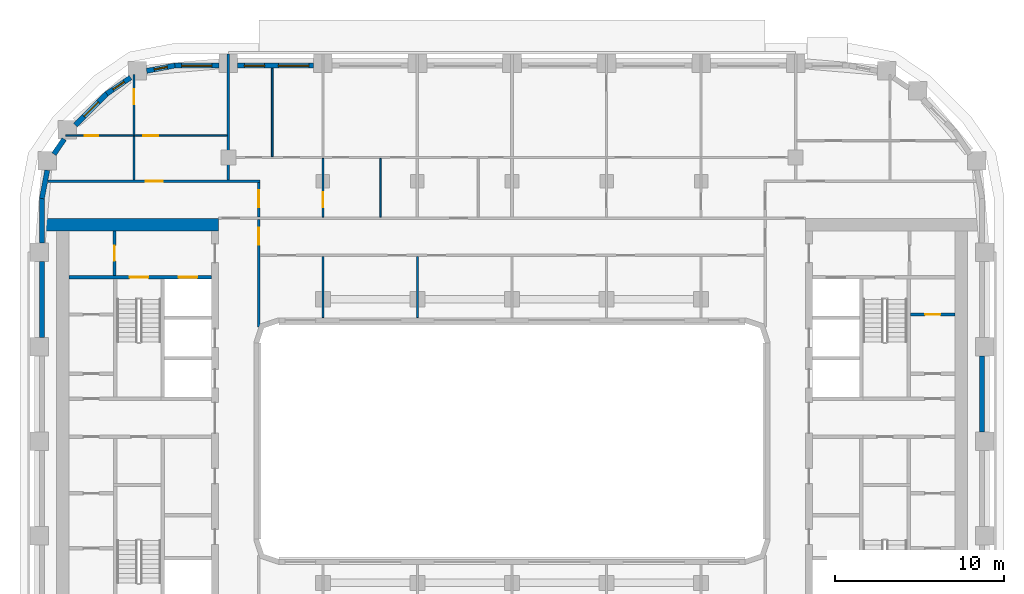
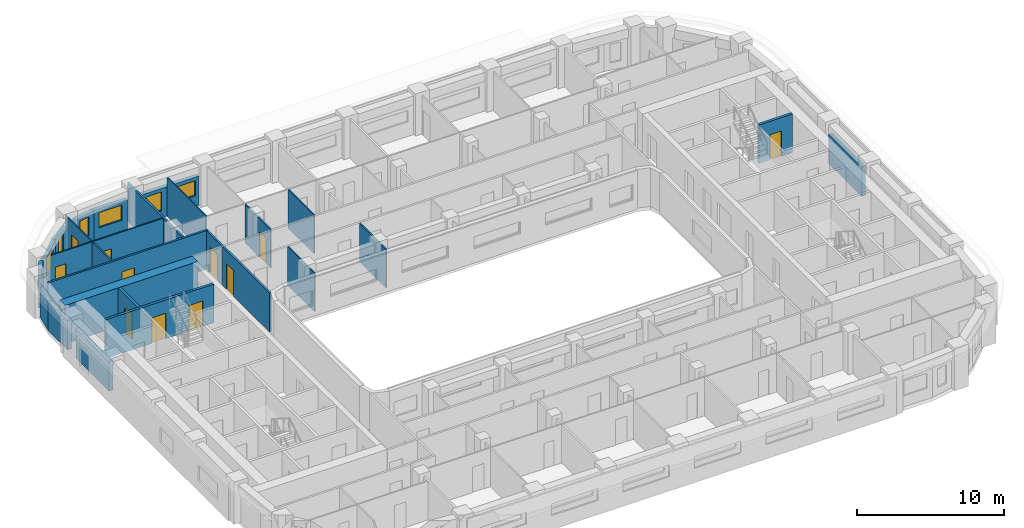
# One storey, part 7 of 22: 26 walls, 11 doors, 6 windows, 17 openings.
"""IFC4 building model written with IfcOpenShell, lengths in metres."""

import ifcopenshell
import ifcopenshell.guid

model = None  # the IFC model being written
_history = None  # IfcOwnerHistory: only IFC2X3 demands one
_inside = {}  # id of a spatial element -> (the spatial element, [elements in it])
_under = {}  # id of a project, library or spatial element -> (it, [spatial elements below it])
_declared = {}  # id of a project -> (the project, [libraries it declares])
_typed = {}  # id of a type object -> (the type object, [elements of that type])
_made_of = {}  # id of a material, layer set ... -> (it, [elements and type objects made of it])


def new_model(schema):
    """Start an empty IFC model of exactly this schema.

    Asked for "IFC4X3", IfcOpenShell would pick the latest addendum, in which some entities
    have other attributes; the version numbers below select the first issue.
    IFC2X3 requires an IfcOwnerHistory on every rooted entity: one is made here for all.
    """
    global model, _history
    if schema == "IFC4X3":
        model = ifcopenshell.file(schema_version=(4, 3, 0, 0))
    else:
        model = ifcopenshell.file(schema=schema)
    _inside.clear()
    _under.clear()
    _declared.clear()
    _typed.clear()
    _made_of.clear()
    _history = None
    if model.schema == "IFC2X3":
        org = make("IfcOrganization", Name="unknown")
        user = make(
            "IfcPersonAndOrganization",
            ThePerson=make("IfcPerson", FamilyName="unknown"),
            TheOrganization=org,
        )
        app = make(
            "IfcApplication",
            ApplicationDeveloper=org,
            Version="unknown",
            ApplicationFullName="unknown",
            ApplicationIdentifier="unknown",
        )
        _history = make(
            "IfcOwnerHistory",
            OwningUser=user,
            OwningApplication=app,
            ChangeAction="ADDED",
            CreationDate=0,
        )
    return model


def make(cls, **values):
    """One entity of the class cls with the attributes given. An attribute that is None is left unset."""
    return model.create_entity(
        cls, **{name: value for name, value in values.items() if value is not None}
    )


def rooted(cls, **values):
    """An entity with a GlobalId (a new one), such as an element, a storey or a relation."""
    return make(cls, GlobalId=ifcopenshell.guid.new(), OwnerHistory=_history, **values)


def si_unit(unit_type, name, prefix=None):
    """IfcSIUnit, for example si_unit("LENGTHUNIT", "METRE", prefix="MILLI")."""
    return make("IfcSIUnit", UnitType=unit_type, Prefix=prefix, Name=name)


def assignment(units):
    """IfcUnitAssignment: the units of a project."""
    return None if units is None else make("IfcUnitAssignment", Units=units)


def point(xyz):
    """IfcCartesianPoint."""
    return None if xyz is None else make("IfcCartesianPoint", Coordinates=xyz)


def direction(xyz):
    """IfcDirection."""
    return None if xyz is None else make("IfcDirection", DirectionRatios=xyz)


def frame(location, z_axis=None, x_axis=None):
    """IfcAxis2Placement3D, a coordinate frame: its origin and axes. An axis left out is left unset."""
    return make(
        "IfcAxis2Placement3D",
        Location=point(location),
        Axis=direction(z_axis),
        RefDirection=direction(x_axis),
    )


def frame_2d(location, x_axis=None):
    """IfcAxis2Placement2D, a coordinate frame in the plane: its origin and x axis."""
    return make(
        "IfcAxis2Placement2D", Location=point(location), RefDirection=direction(x_axis)
    )


def origin():
    """The frame at (0, 0, 0) with its axes left unset."""
    return frame((0.0, 0.0, 0.0))


def place(relative_to, where):
    """IfcLocalPlacement: puts the frame where relative to a parent placement (None: the world)."""
    return make(
        "IfcLocalPlacement", PlacementRelTo=relative_to, RelativePlacement=where
    )


def context(
    kind, dimensions, precision=None, world=None, true_north=None, identifier=None
):
    """IfcGeometricRepresentationContext, for example the 3D "Model" context."""
    return make(
        "IfcGeometricRepresentationContext",
        ContextIdentifier=identifier,
        ContextType=kind,
        CoordinateSpaceDimension=dimensions,
        Precision=precision,
        WorldCoordinateSystem=world,
        TrueNorth=true_north,
    )


def subcontext(parent, identifier, kind, view, scale=None):
    """IfcGeometricRepresentationSubContext, for example "Body" below "Model"."""
    return make(
        "IfcGeometricRepresentationSubContext",
        ContextIdentifier=identifier,
        ContextType=kind,
        ParentContext=parent,
        TargetScale=scale,
        TargetView=view,
    )


def project(units=None, contexts=None):
    """IfcProject with its units and contexts."""
    return rooted(
        "IfcProject",
        Name="project",
        RepresentationContexts=contexts,
        UnitsInContext=assignment(units),
    )


def spatial(cls, under=None, at=None, **own):
    """A site, building, storey or space (cls), placed at a placement, below another one or the project."""
    s = rooted(cls, ObjectPlacement=at, **own)
    if under is not None:
        _under.setdefault(under.id(), (under, []))[1].append(s)
    return s


def profile(cls, at=None, kind="AREA", **sizes):
    """A parametric profile (cls). Its sizes go by their IFC names, for example OverallWidth=200.0."""
    return make(cls, ProfileType=kind, Position=at, **sizes)


def rectangle(**sizes):
    """IfcRectangleProfileDef."""
    return profile("IfcRectangleProfileDef", **sizes)


def extrude(swept, where, along, depth):
    """IfcExtrudedAreaSolid: the profile swept, set in the frame where, extruded along a direction by depth."""
    return make(
        "IfcExtrudedAreaSolid",
        SweptArea=swept,
        Position=where,
        ExtrudedDirection=direction(along),
        Depth=depth,
    )


def shape(context_of_items, identifier, shape_type, items):
    """IfcShapeRepresentation: the items that make up one representation, for example the "Body"."""
    return make(
        "IfcShapeRepresentation",
        ContextOfItems=context_of_items,
        RepresentationIdentifier=identifier,
        RepresentationType=shape_type,
        Items=items,
    )


def material(Name=None, Category=None):
    """IfcMaterial."""
    return make("IfcMaterial", Name=Name, Category=Category)


def layer(
    of_material, thickness, ventilated=None, Name=None, Category=None, Priority=None
):
    """IfcMaterialLayer: one layer of a wall or slab, of a material (None: an air gap)."""
    return make(
        "IfcMaterialLayer",
        Material=of_material,
        LayerThickness=thickness,
        IsVentilated=ventilated,
        Name=Name,
        Category=Category,
        Priority=Priority,
    )


def layer_set(layers, Name=None):
    """IfcMaterialLayerSet."""
    return make("IfcMaterialLayerSet", MaterialLayers=layers, LayerSetName=Name)


def made_of(thing, what):
    """Note that an element or type object is made of a material, layer set ...; save() writes the relation."""
    if what is not None:
        _made_of.setdefault(what.id(), (what, []))[1].append(thing)
    return thing


def type_object(cls, material=None, **own):
    """A type object (cls), such as IfcWallType, which elements share."""
    return made_of(rooted(cls, **own), material)


def element(
    cls,
    number,
    at=None,
    inside=None,
    cuts=None,
    type_object=None,
    material=None,
    context=None,
    identifier="Body",
    shape_type=None,
    held_by="IfcProductDefinitionShape",
    body=None,
    shapes=None,
    **own,
):
    """One element of the class cls, such as IfcWall. Its Tag is "e" and its number.

    at: its placement. inside: the storey or other place that contains it. cuts: it is an
    opening in that element (IfcRelVoidsElement). A single representation is given by context,
    identifier, shape_type and body (its items); several are given by shapes. held_by: the class
    of the entity that holds the representations. save() writes the other relations.
    """
    e = rooted(cls, Tag="e%d" % number, ObjectPlacement=at, **own)
    if body is not None:
        shapes = [shape(context, identifier, shape_type, body)]
    if shapes is not None:
        e.Representation = make(held_by, Representations=shapes)
    if inside is not None:
        _inside.setdefault(inside.id(), (inside, []))[1].append(e)
    if cuts is not None:
        rooted(
            "IfcRelVoidsElement", RelatingBuildingElement=cuts, RelatedOpeningElement=e
        )
    if type_object is not None:
        _typed.setdefault(type_object.id(), (type_object, []))[1].append(e)
    return made_of(e, material)


def fill(opening, filler):
    """IfcRelFillsElement: the door or window that sits in an opening."""
    return rooted(
        "IfcRelFillsElement",
        RelatingOpeningElement=opening,
        RelatedBuildingElement=filler,
    )


def aggregate(whole, parts):
    """IfcRelAggregates: a whole, such as a stair, and the parts it consists of."""
    return rooted("IfcRelAggregates", RelatingObject=whole, RelatedObjects=parts)


def save(model, path):
    """Write the relations noted so far, then the file.

    IfcRelAggregates (storeys below a building ...), IfcRelContainedInSpatialStructure (elements
    in a storey), IfcRelDefinesByType, IfcRelAssociatesMaterial and IfcRelDeclares: one each for
    every whole, place, type object, material and project.
    """
    for whole, parts in _under.values():
        aggregate(whole, parts)
    for where, things in _inside.values():
        rooted(
            "IfcRelContainedInSpatialStructure",
            RelatedElements=things,
            RelatingStructure=where,
        )
    for kind, things in _typed.values():
        rooted("IfcRelDefinesByType", RelatedObjects=things, RelatingType=kind)
    for what, things in _made_of.values():
        rooted("IfcRelAssociatesMaterial", RelatedObjects=things, RelatingMaterial=what)
    for by, libraries in _declared.values():
        rooted("IfcRelDeclares", RelatingContext=by, RelatedDefinitions=libraries)
    model.write(path)


model = new_model("IFC4")

# Units and contexts
model_context = context("Model", 3, precision=1e-05, world=origin(), true_north=direction((0.0, 1.0)))
body_context = subcontext(model_context, "Body", "Model", "MODEL_VIEW")
ifc_project = project(units=[si_unit("LENGTHUNIT", "METRE"), si_unit("AREAUNIT", "SQUARE_METRE"), si_unit("VOLUMEUNIT", "CUBIC_METRE"), si_unit("PLANEANGLEUNIT", "RADIAN"), si_unit("MASSUNIT", "GRAM", prefix="KILO")], contexts=[model_context])

# Site, building, storey
site_placement = place(None, origin())
site = spatial("IfcSite", under=ifc_project, at=site_placement, CompositionType="ELEMENT")
building_placement = place(site_placement, origin())
building = spatial("IfcBuilding", under=site, at=building_placement, Name="Kiln Ring Residences", CompositionType="ELEMENT")
storey_placement = place(building_placement, frame((0.0, 0.0, 153.60009765625)))
storey = spatial("IfcBuildingStorey", under=building, at=storey_placement, Name="L39", CompositionType="ELEMENT", Elevation=153.60009765625)

# Wall, opening, door
ifc_material_1 = material(Name="Gypsum board on steel studs", Category="steel")
ifc_layer_1 = layer(ifc_material_1, 0.199951171875)
ifc_layer_set_1 = layer_set([ifc_layer_1], Name="CORE-PARTITION-200")
wall_type_1 = type_object("IfcWallType", Name="CORE-PARTITION-200", PredefinedType="PARTITIONING", material=ifc_layer_set_1)
wall_1_placement = place(storey_placement, frame((-23.550048828125, 9.800048828125, 0.0), z_axis=(0.0, 0.0, 1.0), x_axis=(0.0, 1.0, 0.0)))
wall_1 = element("IfcWall", 1, at=wall_1_placement, inside=storey, type_object=wall_type_1, Name="Core partition west L39 4", PredefinedType="PARTITIONING", context=body_context, shape_type="SweptSolid", body=[
    extrude(rectangle(XDim=2.64990234375, YDim=0.199951171875, at=frame_2d((1.324951171875, 0.0))), origin(), (0.0, 0.0, 1.0), 3.199951171875),
])
opening_1_placement = place(wall_1_placement, frame((0.875, 0.0, 0.0)))
opening_1 = element("IfcOpeningElement", 2, at=opening_1_placement, cuts=wall_1, Name="Opening L39-CW09", PredefinedType="OPENING", context=body_context, shape_type="SweptSolid", body=[
    extrude(rectangle(XDim=0.89990234375, YDim=2.10009765625, at=frame_2d((0.449951171875, 1.050048828125))), frame((0.0, 0.10986328125, 0.0), z_axis=(0.0, -1.0, 0.0), x_axis=(1.0, 0.0, 0.0)), (0.0, 0.0, 1.0), 0.219970703125),
])
ifc_material_2 = material(Name="Steel door leaf", Category="steel")
door_type_1 = type_object("IfcDoorType", Name="CORE-DOOR-ROOM", OperationType="SINGLE_SWING_LEFT", PredefinedType="DOOR", material=ifc_material_2)
door_1_placement = place(opening_1_placement, origin())
door_1 = element("IfcDoor", 3, at=door_1_placement, inside=storey, type_object=door_type_1, Name="Fire riser room L39-CW09", OperationType="SINGLE_SWING_LEFT", OverallHeight=2.10009765625, OverallWidth=0.89990234375, PredefinedType="DOOR", context=body_context, shape_type="SweptSolid", body=[
    extrude(rectangle(XDim=0.89990234375, YDim=2.10009765625, at=frame_2d((0.449951171875, 1.050048828125))), frame((0.0, 0.02490234375, 0.0), z_axis=(0.0, -1.0, 0.0), x_axis=(1.0, 0.0, 0.0)), (0.0, 0.0, 1.0), 0.050048828125),
])
fill(opening_1, door_1)

wall_2_placement = place(storey_placement, frame((23.60009765625, 7.5, 0.0), z_axis=(0.0, 0.0, 1.0), x_axis=(1.0, 0.0, 0.0)))
wall_2 = element("IfcWall", 4, at=wall_2_placement, inside=storey, type_object=wall_type_1, Name="Core partition east L39 9", PredefinedType="PARTITIONING", context=body_context, shape_type="SweptSolid", body=[
    extrude(rectangle(XDim=2.64990234375, YDim=0.199951171875, at=frame_2d((1.324951171875, 0.0))), origin(), (0.0, 0.0, 1.0), 3.199951171875),
])
opening_2_placement = place(wall_2_placement, frame((0.875, 0.0, 0.0)))
opening_2 = element("IfcOpeningElement", 5, at=opening_2_placement, cuts=wall_2, Name="Opening L39-CE19", PredefinedType="OPENING", context=body_context, shape_type="SweptSolid", body=[
    extrude(rectangle(XDim=0.89990234375, YDim=2.10009765625, at=frame_2d((0.449951171875, 1.050048828125))), frame((0.0, 0.10986328125, 0.0), z_axis=(0.0, -1.0, 0.0), x_axis=(1.0, 0.0, 0.0)), (0.0, 0.0, 1.0), 0.219970703125),
])
door_2_placement = place(opening_2_placement, origin())
door_2 = element("IfcDoor", 6, at=door_2_placement, inside=storey, type_object=door_type_1, Name="UPS room L39-CE19", OperationType="SINGLE_SWING_LEFT", OverallHeight=2.10009765625, OverallWidth=0.89990234375, PredefinedType="DOOR", context=body_context, shape_type="SweptSolid", body=[
    extrude(rectangle(XDim=0.89990234375, YDim=2.10009765625, at=frame_2d((0.449951171875, 1.050048828125))), frame((0.0, 0.02490234375, 0.0), z_axis=(0.0, -1.0, 0.0), x_axis=(1.0, 0.0, 0.0)), (0.0, 0.0, 1.0), 0.050048828125),
])
fill(opening_2, door_2)

# Wall, openings, doors
ifc_material_3 = material(Name="Concrete C40/50", Category="concrete")
ifc_layer_2 = layer(ifc_material_3, 0.199951171875)
ifc_layer_set_2 = layer_set([ifc_layer_2], Name="CORE-WALL-RC200")
wall_type_2 = type_object("IfcWallType", Name="CORE-WALL-RC200", PredefinedType="SHEAR", material=ifc_layer_set_2)
wall_3_placement = place(storey_placement, frame((-17.800048828125, 9.699951171875, 0.0), z_axis=(0.0, 0.0, 1.0), x_axis=(-1.0, 0.0, 0.0)))
wall_3 = element("IfcWall", 7, at=wall_3_placement, inside=storey, type_object=wall_type_2, Name="Core wall west L39 9", PredefinedType="SHEAR", context=body_context, shape_type="SweptSolid", body=[
    extrude(rectangle(XDim=8.449951171875, YDim=0.199951171875, at=frame_2d((4.22509765625, 0.0))), origin(), (0.0, 0.0, 1.0), 3.199951171875),
])
opening_3_placement = place(wall_3_placement, frame((0.85009765625, 0.0, 0.0)))
opening_3 = element("IfcOpeningElement", 8, at=opening_3_placement, cuts=wall_3, Name="Opening L39-CW06", PredefinedType="OPENING", context=body_context, shape_type="SweptSolid", body=[
    extrude(rectangle(XDim=1.10009765625, YDim=2.10009765625, at=frame_2d((0.550048828125, 1.050048828125))), frame((0.0, 0.10986328125, 0.0), z_axis=(0.0, -1.0, 0.0), x_axis=(1.0, 0.0, 0.0)), (0.0, 0.0, 1.0), 0.219970703125),
])
opening_4_placement = place(wall_3_placement, frame((3.75, 0.0, 0.0)))
opening_4 = element("IfcOpeningElement", 9, at=opening_4_placement, cuts=wall_3, Name="Opening L39-CW11", PredefinedType="OPENING", context=body_context, shape_type="SweptSolid", body=[
    extrude(rectangle(XDim=1.10009765625, YDim=2.10009765625, at=frame_2d((0.550048828125, 1.050048828125))), frame((0.0, 0.10986328125, 0.0), z_axis=(0.0, -1.0, 0.0), x_axis=(1.0, 0.0, 0.0)), (0.0, 0.0, 1.0), 0.219970703125),
])
ifc_material_4 = material(Name="Steel door leaf", Category="steel")
door_type_2 = type_object("IfcDoorType", Name="CORE-DOOR-LD", OperationType="DOUBLE_DOOR_SLIDING", PredefinedType="DOOR", material=ifc_material_4)
door_3_placement = place(opening_3_placement, origin())
door_3 = element("IfcDoor", 10, at=door_3_placement, inside=storey, type_object=door_type_2, Name="LD W-FF L39-CW06", OperationType="DOUBLE_DOOR_SLIDING", OverallHeight=2.10009765625, OverallWidth=1.10009765625, PredefinedType="DOOR", context=body_context, shape_type="SweptSolid", body=[
    extrude(rectangle(XDim=1.10009765625, YDim=2.10009765625, at=frame_2d((0.550048828125, 1.050048828125))), frame((0.0, 0.02490234375, 0.0), z_axis=(0.0, -1.0, 0.0), x_axis=(1.0, 0.0, 0.0)), (0.0, 0.0, 1.0), 0.050048828125),
])
fill(opening_3, door_3)
ifc_material_5 = material(Name="Steel door leaf", Category="steel")
door_type_3 = type_object("IfcDoorType", Name="CORE-DOOR-STAIR", OperationType="SINGLE_SWING_LEFT", PredefinedType="DOOR", material=ifc_material_5)
door_4_placement = place(opening_4_placement, origin())
door_4 = element("IfcDoor", 11, at=door_4_placement, inside=storey, type_object=door_type_3, Name="Stair W-STN L39-CW11", OperationType="SINGLE_SWING_LEFT", OverallHeight=2.10009765625, OverallWidth=1.10009765625, PredefinedType="DOOR", context=body_context, shape_type="SweptSolid", body=[
    extrude(rectangle(XDim=1.10009765625, YDim=2.10009765625, at=frame_2d((0.550048828125, 1.050048828125))), frame((0.0, 0.02490234375, 0.0), z_axis=(0.0, -1.0, 0.0), x_axis=(1.0, 0.0, 0.0)), (0.0, 0.0, 1.0), 0.050048828125),
])
fill(opening_4, door_4)

# Walls
ifc_material_6 = material(Name="Concrete C60/75", Category="concrete")
ifc_layer_3 = layer(ifc_material_6, 0.75)
ifc_layer_set_3 = layer_set([ifc_layer_3], Name="CORE-WALL-RC750")
wall_type_3 = type_object("IfcWallType", Name="CORE-WALL-RC750", PredefinedType="SHEAR", material=ifc_layer_set_3)
wall_4_placement = place(storey_placement, frame((-17.39990234375, 12.824951171875, 0.0), z_axis=(0.0, 0.0, 1.0), x_axis=(-1.0, 0.0, 0.0)))
element("IfcWall", 12, at=wall_4_placement, inside=storey, type_object=wall_type_3, Name="Core wall west L39 4", PredefinedType="SHEAR", context=body_context, shape_type="SweptSolid", body=[
    extrude(rectangle(XDim=10.400146484375, YDim=0.75, at=frame_2d((5.2001953125, 0.0))), origin(), (0.0, 0.0, 1.0), 3.199951171875),
])
ifc_material_7 = material(Name="Brick masonry, dark clay brick", Category="masonry")
ifc_layer_4 = layer(ifc_material_7, 0.300048828125)
ifc_layer_set_4 = layer_set([ifc_layer_4], Name="EW-300 BRICK WALL")
wall_type_4 = type_object("IfcWallType", Name="EW-300 BRICK WALL", PredefinedType="SOLIDWALL", material=ifc_layer_set_4)
wall_5_placement = place(storey_placement, frame((27.85009765625, 0.550048828125, 0.0), z_axis=(0.0, 0.0, 1.0), x_axis=(0.0, 1.0, 0.0)))
element("IfcWall", 13, at=wall_5_placement, inside=storey, type_object=wall_type_4, Name="Facade wall L39 20", PredefinedType="SOLIDWALL", context=body_context, shape_type="SweptSolid", body=[
    extrude(rectangle(XDim=4.5, YDim=0.300048828125, at=frame_2d((2.25, 0.0))), origin(), (0.0, 0.0, 1.0), 2.449951171875),
])

# Wall, openings, windows
wall_6_placement = place(storey_placement, frame((-11.75, 22.25, 0.0), z_axis=(0.0, 0.0, 1.0), x_axis=(-1.0, 0.0, 0.0)))
wall_6 = element("IfcWall", 14, at=wall_6_placement, inside=storey, type_object=wall_type_4, Name="Facade wall L39 34", PredefinedType="SOLIDWALL", context=body_context, shape_type="SweptSolid", body=[
    extrude(rectangle(XDim=4.5, YDim=0.300048828125, at=frame_2d((2.25, 0.0))), origin(), (0.0, 0.0, 1.0), 2.449951171875),
])
opening_5_placement = place(wall_6_placement, frame((0.28759765625, 0.0, 0.89990234375)))
opening_5 = element("IfcOpeningElement", 15, at=opening_5_placement, cuts=wall_6, Name="Opening W2", PredefinedType="OPENING", context=body_context, shape_type="SweptSolid", body=[
    extrude(rectangle(XDim=1.800048828125, YDim=1.25, at=frame_2d((0.89990234375, 0.625))), frame((0.0, 0.159912109375, 0.0), z_axis=(0.0, -1.0, 0.0), x_axis=(1.0, 0.0, 0.0)), (0.0, 0.0, 1.0), 0.320068359375),
])
opening_6_placement = place(wall_6_placement, frame((2.91259765625, 0.0, 0.60009765625)))
opening_6 = element("IfcOpeningElement", 16, at=opening_6_placement, cuts=wall_6, Name="Opening W1", PredefinedType="OPENING", context=body_context, shape_type="SweptSolid", body=[
    extrude(rectangle(XDim=1.199951171875, YDim=1.550048828125, at=frame_2d((0.60009765625, 0.77490234375))), frame((0.0, 0.159912109375, 0.0), z_axis=(0.0, -1.0, 0.0), x_axis=(1.0, 0.0, 0.0)), (0.0, 0.0, 1.0), 0.320068359375),
])
ifc_material_8 = material(Name="Aluminium frame with double glazing", Category="aluminium")
window_type_1 = type_object("IfcWindowType", Name="WINDOW 1200 x 1550", PartitioningType="SINGLE_PANEL", PredefinedType="WINDOW", material=ifc_material_8)
window_1_placement = place(opening_6_placement, origin())
window_1 = element("IfcWindow", 17, at=window_1_placement, inside=storey, type_object=window_type_1, Name="Window L39 23", OverallHeight=1.550048828125, OverallWidth=1.199951171875, PartitioningType="SINGLE_PANEL", PredefinedType="WINDOW", context=body_context, shape_type="SweptSolid", body=[
    extrude(rectangle(XDim=1.199951171875, YDim=1.550048828125, at=frame_2d((0.60009765625, 0.77490234375))), frame((0.0, 0.030029296875, 0.0), z_axis=(0.0, -1.0, 0.0), x_axis=(1.0, 0.0, 0.0)), (0.0, 0.0, 1.0), 0.06005859375),
])
fill(opening_6, window_1)
ifc_material_9 = material(Name="Aluminium frame with double glazing", Category="aluminium")
window_type_2 = type_object("IfcWindowType", Name="WINDOW 1800 x 1250", PartitioningType="SINGLE_PANEL", PredefinedType="WINDOW", material=ifc_material_9)
window_2_placement = place(opening_5_placement, origin())
window_2 = element("IfcWindow", 18, at=window_2_placement, inside=storey, type_object=window_type_2, Name="Window L39 22", OverallHeight=1.25, OverallWidth=1.800048828125, PartitioningType="SINGLE_PANEL", PredefinedType="WINDOW", context=body_context, shape_type="SweptSolid", body=[
    extrude(rectangle(XDim=1.800048828125, YDim=1.25, at=frame_2d((0.89990234375, 0.625))), frame((0.0, 0.030029296875, 0.0), z_axis=(0.0, -1.0, 0.0), x_axis=(1.0, 0.0, 0.0)), (0.0, 0.0, 1.0), 0.06005859375),
])
fill(opening_5, window_2)

# Wall, opening, window
wall_7_placement = place(storey_placement, frame((-17.35009765625, 22.25, 0.0), z_axis=(0.0, 0.0, 1.0), x_axis=(-1.0, 0.0, 0.0)))
wall_7 = element("IfcWall", 19, at=wall_7_placement, inside=storey, type_object=wall_type_4, Name="Facade wall L39 35", PredefinedType="SOLIDWALL", context=body_context, shape_type="SweptSolid", body=[
    extrude(rectangle(XDim=2.64990234375, YDim=0.300048828125, at=frame_2d((1.324951171875, 0.0))), origin(), (0.0, 0.0, 1.0), 2.449951171875),
])
opening_7_placement = place(wall_7_placement, frame((0.425048828125, 0.0, 0.89990234375)))
opening_7 = element("IfcOpeningElement", 20, at=opening_7_placement, cuts=wall_7, Name="Opening W2", PredefinedType="OPENING", context=body_context, shape_type="SweptSolid", body=[
    extrude(rectangle(XDim=1.800048828125, YDim=1.25, at=frame_2d((0.89990234375, 0.625))), frame((0.0, 0.159912109375, 0.0), z_axis=(0.0, -1.0, 0.0), x_axis=(1.0, 0.0, 0.0)), (0.0, 0.0, 1.0), 0.320068359375),
])
window_3_placement = place(opening_7_placement, origin())
window_3 = element("IfcWindow", 21, at=window_3_placement, inside=storey, type_object=window_type_2, Name="Window L39 24", OverallHeight=1.25, OverallWidth=1.800048828125, PartitioningType="SINGLE_PANEL", PredefinedType="WINDOW", context=body_context, shape_type="SweptSolid", body=[
    extrude(rectangle(XDim=1.800048828125, YDim=1.25, at=frame_2d((0.89990234375, 0.625))), frame((0.0, 0.030029296875, 0.0), z_axis=(0.0, -1.0, 0.0), x_axis=(1.0, 0.0, 0.0)), (0.0, 0.0, 1.0), 0.06005859375),
])
fill(opening_7, window_3)

wall_8_placement = place(storey_placement, frame((-19.971923828125, 22.252685546875, 0.0), z_axis=(0.0, 0.0, 1.0), x_axis=(-0.982297206936, -0.187329114784, 0.0)))
wall_8 = element("IfcWall", 22, at=wall_8_placement, inside=storey, type_object=wall_type_4, Name="Facade wall L39 36", PredefinedType="SOLIDWALL", context=body_context, shape_type="SweptSolid", body=[
    extrude(rectangle(XDim=1.7060546875, YDim=0.300048828125, at=frame_2d((0.85302734375, 0.0))), origin(), (0.0, 0.0, 1.0), 2.449951171875),
])
opening_8_placement = place(wall_8_placement, frame((0.453125, 0.0, 0.60009765625)))
opening_8 = element("IfcOpeningElement", 23, at=opening_8_placement, cuts=wall_8, Name="Opening W5", PredefinedType="OPENING", context=body_context, shape_type="SweptSolid", body=[
    extrude(rectangle(XDim=0.800048828125, YDim=1.550048828125, at=frame_2d((0.39990234375, 0.77490234375))), frame((0.0, 0.159912109375, 0.0), z_axis=(0.0, -1.0, 0.0), x_axis=(1.0, 0.0, 0.0)), (0.0, 0.0, 1.0), 0.320068359375),
])
ifc_material_10 = material(Name="Aluminium frame with double glazing", Category="aluminium")
window_type_3 = type_object("IfcWindowType", Name="WINDOW 800 x 1550", PartitioningType="SINGLE_PANEL", PredefinedType="WINDOW", material=ifc_material_10)
window_4_placement = place(opening_8_placement, origin())
window_4 = element("IfcWindow", 24, at=window_4_placement, inside=storey, type_object=window_type_3, Name="Window L39 25", OverallHeight=1.550048828125, OverallWidth=0.800048828125, PartitioningType="SINGLE_PANEL", PredefinedType="WINDOW", context=body_context, shape_type="SweptSolid", body=[
    extrude(rectangle(XDim=0.800048828125, YDim=1.550048828125, at=frame_2d((0.39990234375, 0.77490234375))), frame((0.0, 0.030029296875, 0.0), z_axis=(0.0, -1.0, 0.0), x_axis=(1.0, 0.0, 0.0)), (0.0, 0.0, 1.0), 0.06005859375),
])
fill(opening_8, window_4)

wall_9_placement = place(storey_placement, frame((-22.601806640625, 21.537841796875, 0.0), z_axis=(0.0, 0.0, 1.0), x_axis=(-0.827040942766, -0.562141689424, 0.0)))
wall_9 = element("IfcWall", 25, at=wall_9_placement, inside=storey, type_object=wall_type_4, Name="Facade wall L39 37", PredefinedType="SOLIDWALL", context=body_context, shape_type="SweptSolid", body=[
    extrude(rectangle(XDim=1.7060546875, YDim=0.300048828125, at=frame_2d((0.85302734375, 0.0))), origin(), (0.0, 0.0, 1.0), 2.449951171875),
])
opening_9_placement = place(wall_9_placement, frame((0.453125, 0.0, 0.60009765625)))
opening_9 = element("IfcOpeningElement", 26, at=opening_9_placement, cuts=wall_9, Name="Opening W5", PredefinedType="OPENING", context=body_context, shape_type="SweptSolid", body=[
    extrude(rectangle(XDim=0.800048828125, YDim=1.550048828125, at=frame_2d((0.39990234375, 0.77490234375))), frame((0.0, 0.159912109375, 0.0), z_axis=(0.0, -1.0, 0.0), x_axis=(1.0, 0.0, 0.0)), (0.0, 0.0, 1.0), 0.320068359375),
])
window_5_placement = place(opening_9_placement, origin())
window_5 = element("IfcWindow", 27, at=window_5_placement, inside=storey, type_object=window_type_3, Name="Window L39 26", OverallHeight=1.550048828125, OverallWidth=0.800048828125, PartitioningType="SINGLE_PANEL", PredefinedType="WINDOW", context=body_context, shape_type="SweptSolid", body=[
    extrude(rectangle(XDim=0.800048828125, YDim=1.550048828125, at=frame_2d((0.39990234375, 0.77490234375))), frame((0.0, 0.030029296875, 0.0), z_axis=(0.0, -1.0, 0.0), x_axis=(1.0, 0.0, 0.0)), (0.0, 0.0, 1.0), 0.06005859375),
])
fill(opening_9, window_5)

wall_10_placement = place(storey_placement, frame((-23.990966796875, 20.596923828125, 0.0), z_axis=(0.0, 0.0, 1.0), x_axis=(-0.707106781187, -0.707106781187, 0.0)))
wall_10 = element("IfcWall", 28, at=wall_10_placement, inside=storey, type_object=wall_type_4, Name="Facade wall L39 38", PredefinedType="SOLIDWALL", context=body_context, shape_type="SweptSolid", body=[
    extrude(rectangle(XDim=2.64990234375, YDim=0.300048828125, at=frame_2d((1.324951171875, 0.0))), origin(), (0.0, 0.0, 1.0), 2.449951171875),
])
opening_10_placement = place(wall_10_placement, frame((0.72509765625, 0.0, 0.60009765625)))
opening_10 = element("IfcOpeningElement", 29, at=opening_10_placement, cuts=wall_10, Name="Opening W1", PredefinedType="OPENING", context=body_context, shape_type="SweptSolid", body=[
    extrude(rectangle(XDim=1.199951171875, YDim=1.550048828125, at=frame_2d((0.60009765625, 0.77490234375))), frame((0.0, 0.159912109375, 0.0), z_axis=(0.0, -1.0, 0.0), x_axis=(1.0, 0.0, 0.0)), (0.0, 0.0, 1.0), 0.320068359375),
])
window_6_placement = place(opening_10_placement, origin())
window_6 = element("IfcWindow", 30, at=window_6_placement, inside=storey, type_object=window_type_1, Name="Window L39 27", OverallHeight=1.550048828125, OverallWidth=1.199951171875, PartitioningType="SINGLE_PANEL", PredefinedType="WINDOW", context=body_context, shape_type="SweptSolid", body=[
    extrude(rectangle(XDim=1.199951171875, YDim=1.550048828125, at=frame_2d((0.60009765625, 0.77490234375))), frame((0.0, 0.030029296875, 0.0), z_axis=(0.0, -1.0, 0.0), x_axis=(1.0, 0.0, 0.0)), (0.0, 0.0, 1.0), 0.06005859375),
])
fill(opening_10, window_6)

# Walls
wall_11_placement = place(storey_placement, frame((-26.532470703125, 17.892578125, 0.0), z_axis=(0.0, 0.0, 1.0), x_axis=(-0.562105419172, -0.82706559458, 0.0)))
element("IfcWall", 31, at=wall_11_placement, inside=storey, type_object=wall_type_4, Name="Facade wall L39 39", PredefinedType="SOLIDWALL", context=body_context, shape_type="SweptSolid", body=[
    extrude(rectangle(XDim=1.0771484375, YDim=0.300048828125, at=frame_2d((0.53857421875, 0.0))), origin(), (0.0, 0.0, 1.0), 3.199951171875),
])
wall_12_placement = place(storey_placement, frame((-27.532958984375, 16.0478515625, 0.0), z_axis=(0.0, 0.0, 1.0), x_axis=(-0.187302784601, -0.982302227871, 0.0)))
element("IfcWall", 32, at=wall_12_placement, inside=storey, type_object=wall_type_4, Name="Facade wall L39 40", PredefinedType="SOLIDWALL", context=body_context, shape_type="SweptSolid", body=[
    extrude(rectangle(XDim=1.706298828125, YDim=0.300048828125, at=frame_2d((0.85302734375, 0.0))), origin(), (0.0, 0.0, 1.0), 2.449951171875),
])
wall_13_placement = place(storey_placement, frame((-27.85009765625, 14.39990234375, 0.0), z_axis=(0.0, 0.0, 1.0), x_axis=(0.0, -1.0, 0.0)))
element("IfcWall", 33, at=wall_13_placement, inside=storey, type_object=wall_type_4, Name="Facade wall L39 41", PredefinedType="SOLIDWALL", context=body_context, shape_type="SweptSolid", body=[
    extrude(rectangle(XDim=2.64990234375, YDim=0.300048828125, at=frame_2d((1.324951171875, 0.0))), origin(), (0.0, 0.0, 1.0), 2.449951171875),
])
wall_14_placement = place(storey_placement, frame((-27.85009765625, 10.64990234375, 0.0), z_axis=(0.0, 0.0, 1.0), x_axis=(0.0, -1.0, 0.0)))
element("IfcWall", 34, at=wall_14_placement, inside=storey, type_object=wall_type_4, Name="Facade wall L39 42", PredefinedType="SOLIDWALL", context=body_context, shape_type="SweptSolid", body=[
    extrude(rectangle(XDim=4.5, YDim=0.300048828125, at=frame_2d((2.25, 0.0))), origin(), (0.0, 0.0, 1.0), 2.449951171875),
])

# Wall, openings, doors
ifc_material_11 = material(Name="Gypsum board on steel studs", Category="steel")
ifc_layer_5 = layer(ifc_material_11, 0.10009765625)
ifc_layer_set_5 = layer_set([ifc_layer_5], Name="PARTITION-100")
wall_type_5 = type_object("IfcWallType", Name="PARTITION-100", PredefinedType="PARTITIONING", material=ifc_layer_set_5)
wall_15_placement = place(storey_placement, frame((-26.43994140625, 18.10009765625, 0.0), z_axis=(0.0, 0.0, 1.0), x_axis=(1.0, 0.0, 0.0)))
wall_15 = element("IfcWall", 35, at=wall_15_placement, inside=storey, type_object=wall_type_5, Name="Partition 013", PredefinedType="PARTITIONING", context=body_context, shape_type="SweptSolid", body=[
    extrude(rectangle(XDim=9.56494140625, YDim=0.10009765625, at=frame_2d((4.782470703125, 0.0))), origin(), (0.0, 0.0, 1.0), 3.199951171875),
])
opening_11_placement = place(wall_15_placement, frame((1.1259765625, 0.0, 0.0)))
opening_11 = element("IfcOpeningElement", 36, at=opening_11_placement, cuts=wall_15, Name="Opening L39-D035", PredefinedType="OPENING", context=body_context, shape_type="SweptSolid", body=[
    extrude(rectangle(XDim=0.800048828125, YDim=2.10009765625, at=frame_2d((0.39990234375, 1.050048828125))), frame((0.0, 0.06005859375, 0.0), z_axis=(0.0, -1.0, 0.0), x_axis=(1.0, 0.0, 0.0)), (0.0, 0.0, 1.0), 0.1201171875),
])
opening_12_placement = place(wall_15_placement, frame((4.590087890625, 0.0, 0.0)))
opening_12 = element("IfcOpeningElement", 37, at=opening_12_placement, cuts=wall_15, Name="Opening L39-D036", PredefinedType="OPENING", context=body_context, shape_type="SweptSolid", body=[
    extrude(rectangle(XDim=0.89990234375, YDim=2.10009765625, at=frame_2d((0.449951171875, 1.050048828125))), frame((0.0, 0.06005859375, 0.0), z_axis=(0.0, -1.0, 0.0), x_axis=(1.0, 0.0, 0.0)), (0.0, 0.0, 1.0), 0.1201171875),
])
ifc_material_12 = material(Name="Timber door leaf", Category="wood")
door_type_4 = type_object("IfcDoorType", Name="FLAT-DOOR-800-PL", OperationType="SINGLE_SWING_LEFT", PredefinedType="DOOR", material=ifc_material_12)
door_5_placement = place(opening_11_placement, origin())
door_5 = element("IfcDoor", 38, at=door_5_placement, inside=storey, type_object=door_type_4, Name="Door L39-D035", OperationType="SINGLE_SWING_LEFT", OverallHeight=2.10009765625, OverallWidth=0.800048828125, PredefinedType="DOOR", context=body_context, shape_type="SweptSolid", body=[
    extrude(rectangle(XDim=0.800048828125, YDim=2.10009765625, at=frame_2d((0.39990234375, 1.050048828125))), frame((0.0, 0.02490234375, 0.0), z_axis=(0.0, -1.0, 0.0), x_axis=(1.0, 0.0, 0.0)), (0.0, 0.0, 1.0), 0.050048828125),
])
fill(opening_11, door_5)
ifc_material_13 = material(Name="Timber door leaf", Category="wood")
door_type_5 = type_object("IfcDoorType", Name="FLAT-DOOR-900-PL", OperationType="SINGLE_SWING_LEFT", PredefinedType="DOOR", material=ifc_material_13)
door_6_placement = place(opening_12_placement, origin())
door_6 = element("IfcDoor", 39, at=door_6_placement, inside=storey, type_object=door_type_5, Name="Door L39-D036", OperationType="SINGLE_SWING_RIGHT", OverallHeight=2.10009765625, OverallWidth=0.89990234375, PredefinedType="DOOR", context=body_context, shape_type="SweptSolid", body=[
    extrude(rectangle(XDim=0.89990234375, YDim=2.10009765625, at=frame_2d((0.449951171875, 1.050048828125))), frame((0.0, 0.02490234375, 0.0), z_axis=(0.0, -1.0, 0.0), x_axis=(1.0, 0.0, 0.0)), (0.0, 0.0, 1.0), 0.050048828125),
])
fill(opening_12, door_6)

# Wall
wall_16_placement = place(storey_placement, frame((-22.39990234375, 15.47509765625, 0.0), z_axis=(0.0, 0.0, 1.0), x_axis=(0.0, 1.0, 0.0)))
element("IfcWall", 40, at=wall_16_placement, inside=storey, type_object=wall_type_5, Name="Partition 016", PredefinedType="PARTITIONING", context=body_context, shape_type="SweptSolid", body=[
    extrude(rectangle(XDim=2.574951171875, YDim=0.10009765625, at=frame_2d((1.28759765625, 0.0))), origin(), (0.0, 0.0, 1.0), 3.199951171875),
])

# Wall, opening, door
wall_17_placement = place(storey_placement, frame((-22.39990234375, 18.14990234375, 0.0), z_axis=(0.0, 0.0, 1.0), x_axis=(0.0, 1.0, 0.0)))
wall_17 = element("IfcWall", 41, at=wall_17_placement, inside=storey, type_object=wall_type_5, Name="Partition 017", PredefinedType="PARTITIONING", context=body_context, shape_type="SweptSolid", body=[
    extrude(rectangle(XDim=3.570068359375, YDim=0.10009765625, at=frame_2d((1.78515625, 0.0))), origin(), (0.0, 0.0, 1.0), 3.199951171875),
])
opening_13_placement = place(wall_17_placement, frame((1.798095703125, 0.0, 0.0)))
opening_13 = element("IfcOpeningElement", 42, at=opening_13_placement, cuts=wall_17, Name="Opening L39-D037", PredefinedType="OPENING", context=body_context, shape_type="SweptSolid", body=[
    extrude(rectangle(XDim=0.89990234375, YDim=2.10009765625, at=frame_2d((0.449951171875, 1.050048828125))), frame((0.0, 0.06005859375, 0.0), z_axis=(0.0, -1.0, 0.0), x_axis=(1.0, 0.0, 0.0)), (0.0, 0.0, 1.0), 0.1201171875),
])
door_7_placement = place(opening_13_placement, origin())
door_7 = element("IfcDoor", 43, at=door_7_placement, inside=storey, type_object=door_type_5, Name="Door L39-D037", OperationType="SINGLE_SWING_LEFT", OverallHeight=2.10009765625, OverallWidth=0.89990234375, PredefinedType="DOOR", context=body_context, shape_type="SweptSolid", body=[
    extrude(rectangle(XDim=0.89990234375, YDim=2.10009765625, at=frame_2d((0.449951171875, 1.050048828125))), frame((0.0, 0.02490234375, 0.0), z_axis=(0.0, -1.0, 0.0), x_axis=(1.0, 0.0, 0.0)), (0.0, 0.0, 1.0), 0.050048828125),
])
fill(opening_13, door_7)

# Walls
wall_18_placement = place(storey_placement, frame((-14.199951171875, 16.85009765625, 0.0), z_axis=(0.0, 0.0, 1.0), x_axis=(0.0, 1.0, 0.0)))
element("IfcWall", 44, at=wall_18_placement, inside=storey, type_object=wall_type_5, Name="Partition 024", PredefinedType="PARTITIONING", context=body_context, shape_type="SweptSolid", body=[
    extrude(rectangle(XDim=5.22998046875, YDim=0.10009765625, at=frame_2d((2.614990234375, 0.0))), origin(), (0.0, 0.0, 1.0), 3.199951171875),
])
wall_19_placement = place(storey_placement, frame((-11.199951171875, 7.320068359375, 0.0), z_axis=(0.0, 0.0, 1.0), x_axis=(0.0, 1.0, 0.0)))
element("IfcWall", 45, at=wall_19_placement, inside=storey, type_object=wall_type_5, Name="Partition 028", PredefinedType="PARTITIONING", context=body_context, shape_type="SweptSolid", body=[
    extrude(rectangle(XDim=3.60498046875, YDim=0.10009765625, at=frame_2d((1.802490234375, 0.0))), origin(), (0.0, 0.0, 1.0), 3.199951171875),
])

# Wall, opening, door
wall_20_placement = place(storey_placement, frame((-11.199951171875, 13.27490234375, 0.0), z_axis=(0.0, 0.0, 1.0), x_axis=(0.0, 1.0, 0.0)))
wall_20 = element("IfcWall", 46, at=wall_20_placement, inside=storey, type_object=wall_type_5, Name="Partition 029", PredefinedType="PARTITIONING", context=body_context, shape_type="SweptSolid", body=[
    extrude(rectangle(XDim=3.47509765625, YDim=0.10009765625, at=frame_2d((1.737548828125, 0.0))), origin(), (0.0, 0.0, 1.0), 3.199951171875),
])
opening_14_placement = place(wall_20_placement, frame((0.575927734375, 0.0, 0.0)))
opening_14 = element("IfcOpeningElement", 47, at=opening_14_placement, cuts=wall_20, Name="Opening L39-D016", PredefinedType="OPENING", context=body_context, shape_type="SweptSolid", body=[
    extrude(rectangle(XDim=0.89990234375, YDim=2.10009765625, at=frame_2d((0.449951171875, 1.050048828125))), frame((0.0, 0.06005859375, 0.0), z_axis=(0.0, -1.0, 0.0), x_axis=(1.0, 0.0, 0.0)), (0.0, 0.0, 1.0), 0.1201171875),
])
door_8_placement = place(opening_14_placement, origin())
door_8 = element("IfcDoor", 48, at=door_8_placement, inside=storey, type_object=door_type_5, Name="Door L39-D016", OperationType="SINGLE_SWING_LEFT", OverallHeight=2.10009765625, OverallWidth=0.89990234375, PredefinedType="DOOR", context=body_context, shape_type="SweptSolid", body=[
    extrude(rectangle(XDim=0.89990234375, YDim=2.10009765625, at=frame_2d((0.449951171875, 1.050048828125))), frame((0.0, 0.02490234375, 0.0), z_axis=(0.0, -1.0, 0.0), x_axis=(1.0, 0.0, 0.0)), (0.0, 0.0, 1.0), 0.050048828125),
])
fill(opening_14, door_8)

# Walls
wall_21_placement = place(storey_placement, frame((-7.800048828125, 13.27490234375, 0.0), z_axis=(0.0, 0.0, 1.0), x_axis=(0.0, 1.0, 0.0)))
element("IfcWall", 49, at=wall_21_placement, inside=storey, type_object=wall_type_5, Name="Partition 031", PredefinedType="PARTITIONING", context=body_context, shape_type="SweptSolid", body=[
    extrude(rectangle(XDim=3.47509765625, YDim=0.10009765625, at=frame_2d((1.737548828125, 0.0))), origin(), (0.0, 0.0, 1.0), 3.199951171875),
])
wall_22_placement = place(storey_placement, frame((-5.60009765625, 7.320068359375, 0.0), z_axis=(0.0, 0.0, 1.0), x_axis=(0.0, 1.0, 0.0)))
element("IfcWall", 50, at=wall_22_placement, inside=storey, type_object=wall_type_5, Name="Partition 033", PredefinedType="PARTITIONING", context=body_context, shape_type="SweptSolid", body=[
    extrude(rectangle(XDim=3.60498046875, YDim=0.10009765625, at=frame_2d((1.802490234375, 0.0))), origin(), (0.0, 0.0, 1.0), 3.199951171875),
])

# Wall, opening, door
ifc_material_14 = material(Name="Brick masonry partition", Category="masonry")
ifc_layer_6 = layer(ifc_material_14, 0.14990234375)
ifc_layer_set_6 = layer_set([ifc_layer_6], Name="PARTITION-150-ei60")
wall_type_6 = type_object("IfcWallType", Name="PARTITION-150-ei60", PredefinedType="PARTITIONING", material=ifc_layer_set_6)
wall_23_placement = place(storey_placement, frame((-27.48388671875, 15.39990234375, 0.0), z_axis=(0.0, 0.0, 1.0), x_axis=(1.0, 0.0, 0.0)))
wall_23 = element("IfcWall", 51, at=wall_23_placement, inside=storey, type_object=wall_type_6, Name="Partition 009", PredefinedType="PARTITIONING", context=body_context, shape_type="SweptSolid", body=[
    extrude(rectangle(XDim=12.558837890625, YDim=0.14990234375, at=frame_2d((6.279296875, 0.0))), origin(), (0.0, 0.0, 1.0), 3.199951171875),
])
opening_15_placement = place(wall_23_placement, frame((5.78369140625, 0.0, 0.0)))
opening_15 = element("IfcOpeningElement", 52, at=opening_15_placement, cuts=wall_23, Name="Opening L39-D034", PredefinedType="OPENING", context=body_context, shape_type="SweptSolid", body=[
    extrude(rectangle(XDim=1.0, YDim=2.10009765625, at=frame_2d((0.5, 1.050048828125))), frame((0.0, 0.0849609375, 0.0), z_axis=(0.0, -1.0, 0.0), x_axis=(1.0, 0.0, 0.0)), (0.0, 0.0, 1.0), 0.169921875),
])
ifc_material_15 = material(Name="Steel faced fire door leaf", Category="steel")
door_type_6 = type_object("IfcDoorType", Name="FLAT-DOOR-1000-FR", OperationType="SINGLE_SWING_LEFT", PredefinedType="DOOR", material=ifc_material_15)
door_9_placement = place(opening_15_placement, origin())
door_9 = element("IfcDoor", 53, at=door_9_placement, inside=storey, type_object=door_type_6, Name="Door L39-D034", OperationType="SINGLE_SWING_RIGHT", OverallHeight=2.10009765625, OverallWidth=1.0, PredefinedType="DOOR", context=body_context, shape_type="SweptSolid", body=[
    extrude(rectangle(XDim=1.0, YDim=2.10009765625, at=frame_2d((0.5, 1.050048828125))), frame((0.0, 0.02490234375, 0.0), z_axis=(0.0, -1.0, 0.0), x_axis=(1.0, 0.0, 0.0)), (0.0, 0.0, 1.0), 0.050048828125),
])
fill(opening_15, door_9)

# Wall
wall_24_placement = place(storey_placement, frame((-16.800048828125, 15.47509765625, 0.0), z_axis=(0.0, 0.0, 1.0), x_axis=(0.0, 1.0, 0.0)))
element("IfcWall", 54, at=wall_24_placement, inside=storey, type_object=wall_type_6, Name="Partition 019", PredefinedType="PARTITIONING", context=body_context, shape_type="SweptSolid", body=[
    extrude(rectangle(XDim=7.454833984375, YDim=0.14990234375, at=frame_2d((3.7275390625, 0.0))), origin(), (0.0, 0.0, 1.0), 3.199951171875),
])

# Wall, opening, door
wall_25_placement = place(storey_placement, frame((-15.0, 6.768798828125, 0.0), z_axis=(0.0, 0.0, 1.0), x_axis=(0.0, 1.0, 0.0)))
wall_25 = element("IfcWall", 55, at=wall_25_placement, inside=storey, type_object=wall_type_6, Name="Partition 022", PredefinedType="PARTITIONING", context=body_context, shape_type="SweptSolid", body=[
    extrude(rectangle(XDim=6.356201171875, YDim=0.14990234375, at=frame_2d((3.17822265625, 0.0))), origin(), (0.0, 0.0, 1.0), 3.199951171875),
])
opening_16_placement = place(wall_25_placement, frame((4.860107421875, 0.0, 0.0)))
opening_16 = element("IfcOpeningElement", 56, at=opening_16_placement, cuts=wall_25, Name="Opening L39-D001", PredefinedType="OPENING", context=body_context, shape_type="SweptSolid", body=[
    extrude(rectangle(XDim=1.0, YDim=2.10009765625, at=frame_2d((0.5, 1.050048828125))), frame((0.0, 0.0849609375, 0.0), z_axis=(0.0, -1.0, 0.0), x_axis=(1.0, 0.0, 0.0)), (0.0, 0.0, 1.0), 0.169921875),
])
door_10_placement = place(opening_16_placement, origin())
door_10 = element("IfcDoor", 57, at=door_10_placement, inside=storey, type_object=door_type_6, Name="Door L39-D001", OperationType="SINGLE_SWING_RIGHT", OverallHeight=2.10009765625, OverallWidth=1.0, PredefinedType="DOOR", context=body_context, shape_type="SweptSolid", body=[
    extrude(rectangle(XDim=1.0, YDim=2.10009765625, at=frame_2d((0.5, 1.050048828125))), frame((0.0, 0.02490234375, 0.0), z_axis=(0.0, -1.0, 0.0), x_axis=(1.0, 0.0, 0.0)), (0.0, 0.0, 1.0), 0.050048828125),
])
fill(opening_16, door_10)

wall_26_placement = place(storey_placement, frame((-15.0, 13.27490234375, 0.0), z_axis=(0.0, 0.0, 1.0), x_axis=(0.0, 1.0, 0.0)))
wall_26 = element("IfcWall", 58, at=wall_26_placement, inside=storey, type_object=wall_type_6, Name="Partition 023", PredefinedType="PARTITIONING", context=body_context, shape_type="SweptSolid", body=[
    extrude(rectangle(XDim=2.050048828125, YDim=0.14990234375, at=frame_2d((1.02490234375, 0.0))), origin(), (0.0, 0.0, 1.0), 3.199951171875),
])
opening_17_placement = place(wall_26_placement, frame((0.575927734375, 0.0, 0.0)))
opening_17 = element("IfcOpeningElement", 59, at=opening_17_placement, cuts=wall_26, Name="Opening L39-D015", PredefinedType="OPENING", context=body_context, shape_type="SweptSolid", body=[
    extrude(rectangle(XDim=1.0, YDim=2.10009765625, at=frame_2d((0.5, 1.050048828125))), frame((0.0, 0.0849609375, 0.0), z_axis=(0.0, -1.0, 0.0), x_axis=(1.0, 0.0, 0.0)), (0.0, 0.0, 1.0), 0.169921875),
])
door_11_placement = place(opening_17_placement, origin())
door_11 = element("IfcDoor", 60, at=door_11_placement, inside=storey, type_object=door_type_6, Name="Door L39-D015", OperationType="SINGLE_SWING_LEFT", OverallHeight=2.10009765625, OverallWidth=1.0, PredefinedType="DOOR", context=body_context, shape_type="SweptSolid", body=[
    extrude(rectangle(XDim=1.0, YDim=2.10009765625, at=frame_2d((0.5, 1.050048828125))), frame((0.0, 0.02490234375, 0.0), z_axis=(0.0, -1.0, 0.0), x_axis=(1.0, 0.0, 0.0)), (0.0, 0.0, 1.0), 0.050048828125),
])
fill(opening_17, door_11)

save(model, "model.ifc")
